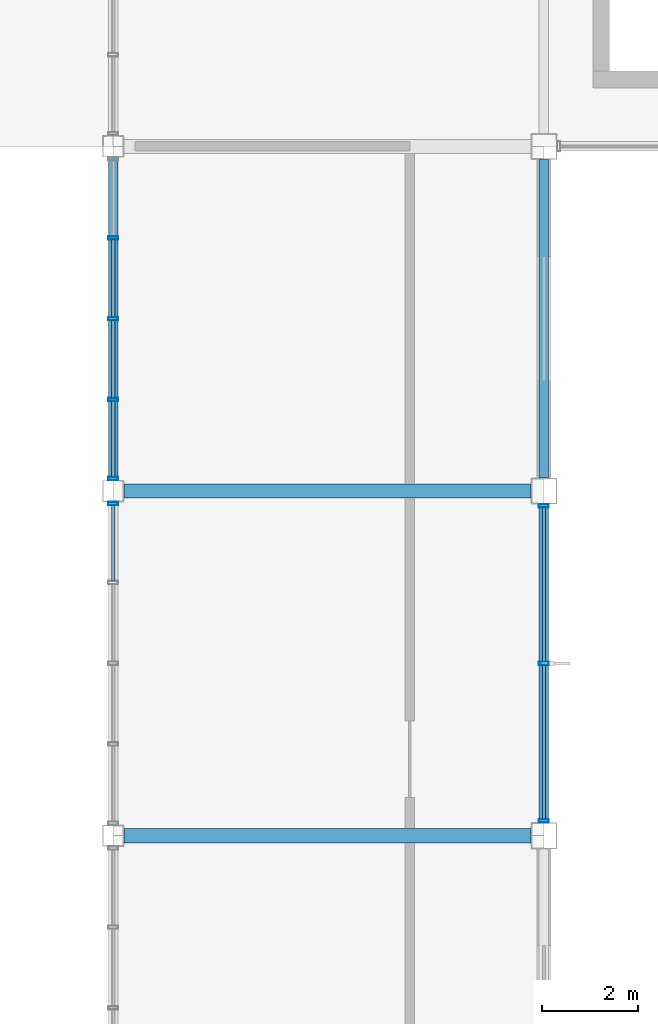
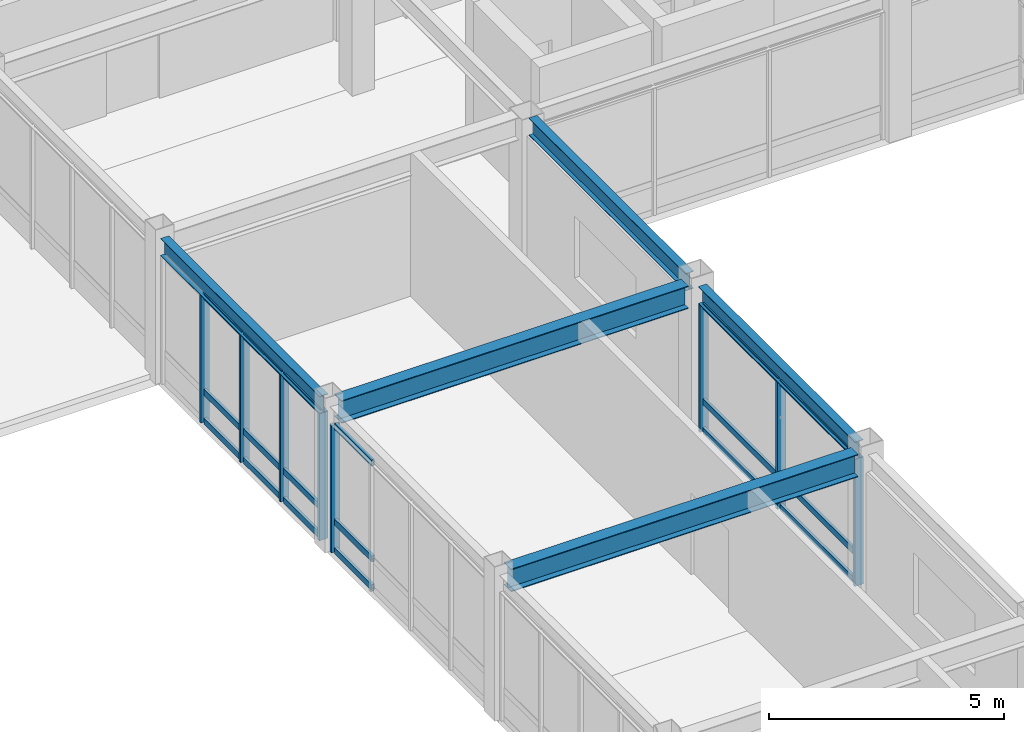
# One storey, part 37 of 113: 26 members, 5 beams, 3 elements without a shape of their own.
"""IFC4 building model written with IfcOpenShell, lengths in metres."""

from ifc_helpers import new_model, si_unit, direction, frame, origin, origin_2d, place, context, subcontext, project, spatial, hollow_rectangle, i_section, extrude, material, material_profile, profile_set, type_object, element, aggregate, save


model = new_model("IFC4")

# Units and contexts
model_context = context("Model", 3, precision=1e-05, world=origin(), true_north=direction((0.0, 1.0)))
body_context = subcontext(model_context, "Body", "Model", "MODEL_VIEW")
ifc_project = project(units=[si_unit("LENGTHUNIT", "METRE"), si_unit("AREAUNIT", "SQUARE_METRE"), si_unit("VOLUMEUNIT", "CUBIC_METRE"), si_unit("PLANEANGLEUNIT", "RADIAN"), si_unit("MASSUNIT", "GRAM", prefix="KILO")], contexts=[model_context])

# Site, building, storey
site_placement = place(None, origin())
site = spatial("IfcSite", under=ifc_project, at=site_placement, CompositionType="ELEMENT")
building_placement = place(site_placement, origin())
building = spatial("IfcBuilding", under=site, at=building_placement, Name="Kazanami Central Library", CompositionType="ELEMENT")
storey_placement = place(building_placement, frame((0.0, 0.0, 8.800048828125)))
storey = spatial("IfcBuildingStorey", under=building, at=storey_placement, Name="L03", CompositionType="ELEMENT", Elevation=8.800048828125)

# Beams
ifc_material_1 = material(Name="Steel SN490B (325 MPa)", Category="steel")
ifc_material_profile_1 = material_profile(ifc_material_1, i_section(OverallWidth=0.300048828125, OverallDepth=0.587890625, WebThickness=0.011962890625, FlangeThickness=0.02001953125, at=origin_2d()), Name="H-588x300x12x20")
ifc_profile_set_1 = profile_set([ifc_material_profile_1], Name="Steel SN490B (325 MPa)")
beam_type_1 = type_object("IfcBeamType", Name="BM-G-X2", PredefinedType="BEAM", material=ifc_profile_set_1)
for number, where, z_axis, x_axis, name in (
    (1, (45.222900390625, 50.39990234375, 3.450927734375), (1.0, 0.0, 0.0), (0.0, 1.0, 0.0), "Girder G-X2 L03 H/6-7"),
    (2, (45.222900390625, 57.60009765625, 3.450927734375), (1.0, 0.0, 0.0), (0.0, 1.0, 0.0), "Girder G-X2 L03 J/6-7"),
):
    element("IfcBeam", number, at=place(storey_placement, frame(where, z_axis=z_axis, x_axis=x_axis)), inside=storey, type_object=beam_type_1, Name=name, PredefinedType="BEAM", context=body_context, shape_type="SweptSolid", body=[
        extrude(i_section(OverallWidth=0.300048828125, OverallDepth=0.587890625, WebThickness=0.011962890625, FlangeThickness=0.02001953125, at=origin_2d()), origin(), (0.0, 0.0, 1.0), 8.504150390625),
    ])
ifc_material_profile_2 = material_profile(ifc_material_1, i_section(OverallWidth=0.199951171875, OverallDepth=0.449951171875, WebThickness=0.009033203125, FlangeThickness=0.013916015625, at=origin_2d()), Name="H-450x200x9x14")
ifc_profile_set_2 = profile_set([ifc_material_profile_2], Name="Steel SN490B (325 MPa)")
beam_type_2 = type_object("IfcBeamType", Name="BM-SP-2", PredefinedType="SPANDREL", material=ifc_profile_set_2)
beam_1_placement = place(storey_placement, frame((45.0, 57.822998046875, 3.52001953125), z_axis=(0.0, 1.0, 0.0), x_axis=(-1.0, 0.0, 0.0)))
element("IfcBeam", 3, at=beam_1_placement, inside=storey, type_object=beam_type_2, Name="Girder SP-2 L03 6/J-K", PredefinedType="SPANDREL", context=body_context, shape_type="SweptSolid", body=[
    extrude(i_section(OverallWidth=0.199951171875, OverallDepth=0.449951171875, WebThickness=0.009033203125, FlangeThickness=0.013916015625, at=origin_2d()), origin(), (0.0, 0.0, 1.0), 6.75390625),
])
beam_2_placement = place(storey_placement, frame((54.0, 50.673095703125, 3.52001953125), z_axis=(0.0, 1.0, 0.0), x_axis=(-1.0, 0.0, 0.0)))
element("IfcBeam", 4, at=beam_2_placement, inside=storey, type_object=beam_type_2, Name="Girder SP-2 L03 7/H-J", PredefinedType="SPANDREL", context=body_context, shape_type="SweptSolid", body=[
    extrude(i_section(OverallWidth=0.199951171875, OverallDepth=0.449951171875, WebThickness=0.009033203125, FlangeThickness=0.013916015625, at=origin_2d()), origin(), (0.0, 0.0, 1.0), 6.65380859375),
])
beam_3_placement = place(storey_placement, frame((54.0, 57.873046875, 3.52001953125), z_axis=(0.0, 1.0, 0.0), x_axis=(-1.0, 0.0, 0.0)))
element("IfcBeam", 5, at=beam_3_placement, inside=storey, type_object=beam_type_2, Name="Girder SP-2 L03 7/J-K", PredefinedType="SPANDREL", context=body_context, shape_type="SweptSolid", body=[
    extrude(i_section(OverallWidth=0.199951171875, OverallDepth=0.449951171875, WebThickness=0.009033203125, FlangeThickness=0.013916015625, at=origin_2d()), origin(), (0.0, 0.0, 1.0), 6.654052734375),
])

# Curtain wall, member
ifc_material_2 = material(Name="Acid-Etched Low-E Laminated Glass", Category="glass")
curtain_wall_type_1 = type_object("IfcCurtainWallType", Name="CW-6750x3295-M180", PredefinedType="USERDEFINED", material=ifc_material_2)
curtain_wall_1_placement = place(storey_placement, origin())
curtain_wall_1 = element("IfcCurtainWall", 6, at=curtain_wall_1_placement, inside=storey, type_object=curtain_wall_type_1, Name="Covered Link Bridge Curtain Wall CW-32 L03 W-6-07", ObjectType="UNITISED CURTAIN WALL", PredefinedType="USERDEFINED")
ifc_material_3 = material(Name="Anodised Aluminium A6063-T5", Category="aluminium")
ifc_material_profile_3 = material_profile(ifc_material_3, hollow_rectangle(XDim=0.070068359375, YDim=0.2099609375, WallThickness=0.0048828125, at=origin_2d()), Name="ALU-MULL-70x210x5")
ifc_profile_set_3 = profile_set([ifc_material_profile_3], Name="Anodised Aluminium A6063-T5")
member_type_1 = type_object("IfcMemberType", Name="MEM-CW-M1", PredefinedType="MULLION", material=ifc_profile_set_3)
member_1_placement = place(storey_placement, frame((45.0, 57.340087890625, 0.0), z_axis=(0.0, 0.0, 1.0), x_axis=(0.0, 1.0, 0.0)))
member_1 = element("IfcMember", 7, at=member_1_placement, type_object=member_type_1, Name="CW-32 mullion 5", PredefinedType="MULLION", context=body_context, shape_type="SweptSolid", body=[
    extrude(hollow_rectangle(XDim=0.070068359375, YDim=0.2099609375, WallThickness=0.0048828125, at=origin_2d()), origin(), (0.0, 0.0, 1.0), 3.294921875),
])

# Curtain wall, members
curtain_wall_2_placement = place(storey_placement, origin())
curtain_wall_2 = element("IfcCurtainWall", 8, at=curtain_wall_2_placement, inside=storey, type_object=curtain_wall_type_1, Name="Covered Link Bridge Curtain Wall CW-32 L03 W-6-08", ObjectType="UNITISED CURTAIN WALL", PredefinedType="USERDEFINED")
member_2_placement = place(storey_placement, frame((45.0, 57.860107421875, 0.0), z_axis=(0.0, 0.0, 1.0), x_axis=(0.0, 1.0, 0.0)))
member_2 = element("IfcMember", 9, at=member_2_placement, type_object=member_type_1, Name="CW-32 mullion 1", PredefinedType="MULLION", context=body_context, shape_type="SweptSolid", body=[
    extrude(hollow_rectangle(XDim=0.070068359375, YDim=0.2099609375, WallThickness=0.0048828125, at=origin_2d()), origin(), (0.0, 0.0, 1.0), 3.294921875),
])
member_3_placement = place(storey_placement, frame((45.0, 59.512451171875, 0.0), z_axis=(0.0, 0.0, 1.0), x_axis=(0.0, 1.0, 0.0)))
member_3 = element("IfcMember", 10, at=member_3_placement, type_object=member_type_1, Name="CW-32 mullion 2", PredefinedType="MULLION", context=body_context, shape_type="SweptSolid", body=[
    extrude(hollow_rectangle(XDim=0.070068359375, YDim=0.2099609375, WallThickness=0.0048828125, at=origin_2d()), origin(), (0.0, 0.0, 1.0), 3.294921875),
])
member_4_placement = place(storey_placement, frame((45.0, 61.199951171875, 0.0), z_axis=(0.0, 0.0, 1.0), x_axis=(0.0, 1.0, 0.0)))
member_4 = element("IfcMember", 11, at=member_4_placement, type_object=member_type_1, Name="CW-32 mullion 3", PredefinedType="MULLION", context=body_context, shape_type="SweptSolid", body=[
    extrude(hollow_rectangle(XDim=0.070068359375, YDim=0.2099609375, WallThickness=0.0048828125, at=origin_2d()), origin(), (0.0, 0.0, 1.0), 3.294921875),
])
member_5_placement = place(storey_placement, frame((45.0, 62.887451171875, 0.0), z_axis=(0.0, 0.0, 1.0), x_axis=(0.0, 1.0, 0.0)))
member_5 = element("IfcMember", 12, at=member_5_placement, type_object=member_type_1, Name="CW-32 mullion 4", PredefinedType="MULLION", context=body_context, shape_type="SweptSolid", body=[
    extrude(hollow_rectangle(XDim=0.070068359375, YDim=0.2099609375, WallThickness=0.0048828125, at=origin_2d()), origin(), (0.0, 0.0, 1.0), 3.294921875),
])

curtain_wall_type_2 = type_object("IfcCurtainWallType", Name="CW-6650x3295-M275", PredefinedType="USERDEFINED", material=ifc_material_2)
curtain_wall_3_placement = place(storey_placement, origin())
curtain_wall_3 = element("IfcCurtainWall", 13, at=curtain_wall_3_placement, inside=storey, type_object=curtain_wall_type_2, Name="Unitised Curtain Wall CW-35 L03 E-7-07", ObjectType="UNITISED CURTAIN WALL", PredefinedType="USERDEFINED")
member_6_placement = place(storey_placement, frame((54.0, 57.2900390625, 0.0), z_axis=(0.0, 0.0, 1.0), x_axis=(0.0, -1.0, 0.0)))
member_6 = element("IfcMember", 14, at=member_6_placement, type_object=member_type_1, Name="CW-35 mullion 1", PredefinedType="MULLION", context=body_context, shape_type="SweptSolid", body=[
    extrude(hollow_rectangle(XDim=0.070068359375, YDim=0.2099609375, WallThickness=0.0048828125, at=origin_2d()), origin(), (0.0, 0.0, 1.0), 3.294921875),
])
member_7_placement = place(storey_placement, frame((54.0, 54.0, 0.0), z_axis=(0.0, 0.0, 1.0), x_axis=(0.0, -1.0, 0.0)))
member_7 = element("IfcMember", 15, at=member_7_placement, type_object=member_type_1, Name="CW-35 mullion 2", PredefinedType="MULLION", context=body_context, shape_type="SweptSolid", body=[
    extrude(hollow_rectangle(XDim=0.070068359375, YDim=0.2099609375, WallThickness=0.0048828125, at=origin_2d()), origin(), (0.0, 0.0, 1.0), 3.294921875),
])
member_8_placement = place(storey_placement, frame((54.0, 50.7099609375, 0.0), z_axis=(0.0, 0.0, 1.0), x_axis=(0.0, -1.0, 0.0)))
member_8 = element("IfcMember", 16, at=member_8_placement, type_object=member_type_1, Name="CW-35 mullion 3", PredefinedType="MULLION", context=body_context, shape_type="SweptSolid", body=[
    extrude(hollow_rectangle(XDim=0.070068359375, YDim=0.2099609375, WallThickness=0.0048828125, at=origin_2d()), origin(), (0.0, 0.0, 1.0), 3.294921875),
])

# Member
ifc_material_profile_4 = material_profile(ifc_material_3, hollow_rectangle(XDim=0.070068359375, YDim=0.159912109375, WallThickness=0.00390625, at=origin_2d()), Name="ALU-TRAN-70x160x4")
ifc_profile_set_4 = profile_set([ifc_material_profile_4], Name="Anodised Aluminium A6063-T5")
member_type_2 = type_object("IfcMemberType", Name="MEM-CW-T1", PredefinedType="USERDEFINED", material=ifc_profile_set_4)
member_9_placement = place(storey_placement, frame((45.0, 55.722412109375, 0.034912109375), z_axis=(0.0, 1.0, 0.0), x_axis=(-1.0, 0.0, 0.0)))
member_9 = element("IfcMember", 17, at=member_9_placement, type_object=member_type_2, Name="CW-32 transom 4.1", ObjectType="TRANSOM", PredefinedType="USERDEFINED", context=body_context, shape_type="SweptSolid", body=[
    extrude(hollow_rectangle(XDim=0.070068359375, YDim=0.159912109375, WallThickness=0.00390625, at=origin_2d()), origin(), (0.0, 0.0, 1.0), 1.58251953125),
])

member_10_placement = place(storey_placement, frame((45.0, 55.722412109375, 0.780029296875), z_axis=(0.0, 1.0, 0.0), x_axis=(-1.0, 0.0, 0.0)))
member_10 = element("IfcMember", 18, at=member_10_placement, type_object=member_type_2, Name="CW-32 transom 4.2", ObjectType="TRANSOM", PredefinedType="USERDEFINED", context=body_context, shape_type="SweptSolid", body=[
    extrude(hollow_rectangle(XDim=0.070068359375, YDim=0.159912109375, WallThickness=0.00390625, at=origin_2d()), origin(), (0.0, 0.0, 1.0), 1.58251953125),
])

member_11_placement = place(storey_placement, frame((45.0, 55.722412109375, 3.260009765625), z_axis=(0.0, 1.0, 0.0), x_axis=(-1.0, 0.0, 0.0)))
member_11 = element("IfcMember", 19, at=member_11_placement, type_object=member_type_2, Name="CW-32 transom 4.3", ObjectType="TRANSOM", PredefinedType="USERDEFINED", context=body_context, shape_type="SweptSolid", body=[
    extrude(hollow_rectangle(XDim=0.070068359375, YDim=0.159912109375, WallThickness=0.00390625, at=origin_2d()), origin(), (0.0, 0.0, 1.0), 1.58251953125),
])

aggregate(curtain_wall_1, [member_1, member_9, member_10, member_11])

member_12_placement = place(storey_placement, frame((45.0, 57.89501953125, 0.034912109375), z_axis=(0.0, 1.0, 0.0), x_axis=(-1.0, 0.0, 0.0)))
member_12 = element("IfcMember", 20, at=member_12_placement, type_object=member_type_2, Name="CW-32 transom 1.1", ObjectType="TRANSOM", PredefinedType="USERDEFINED", context=body_context, shape_type="SweptSolid", body=[
    extrude(hollow_rectangle(XDim=0.070068359375, YDim=0.159912109375, WallThickness=0.00390625, at=origin_2d()), origin(), (0.0, 0.0, 1.0), 1.58251953125),
])

member_13_placement = place(storey_placement, frame((45.0, 57.89501953125, 0.780029296875), z_axis=(0.0, 1.0, 0.0), x_axis=(-1.0, 0.0, 0.0)))
member_13 = element("IfcMember", 21, at=member_13_placement, type_object=member_type_2, Name="CW-32 transom 1.2", ObjectType="TRANSOM", PredefinedType="USERDEFINED", context=body_context, shape_type="SweptSolid", body=[
    extrude(hollow_rectangle(XDim=0.070068359375, YDim=0.159912109375, WallThickness=0.00390625, at=origin_2d()), origin(), (0.0, 0.0, 1.0), 1.58251953125),
])

member_14_placement = place(storey_placement, frame((45.0, 57.89501953125, 3.260009765625), z_axis=(0.0, 1.0, 0.0), x_axis=(-1.0, 0.0, 0.0)))
member_14 = element("IfcMember", 22, at=member_14_placement, type_object=member_type_2, Name="CW-32 transom 1.3", ObjectType="TRANSOM", PredefinedType="USERDEFINED", context=body_context, shape_type="SweptSolid", body=[
    extrude(hollow_rectangle(XDim=0.070068359375, YDim=0.159912109375, WallThickness=0.00390625, at=origin_2d()), origin(), (0.0, 0.0, 1.0), 1.58251953125),
])

member_15_placement = place(storey_placement, frame((45.0, 59.547607421875, 0.034912109375), z_axis=(0.0, 1.0, 0.0), x_axis=(-1.0, 0.0, 0.0)))
member_15 = element("IfcMember", 23, at=member_15_placement, type_object=member_type_2, Name="CW-32 transom 2.1", ObjectType="TRANSOM", PredefinedType="USERDEFINED", context=body_context, shape_type="SweptSolid", body=[
    extrude(hollow_rectangle(XDim=0.070068359375, YDim=0.159912109375, WallThickness=0.00390625, at=origin_2d()), origin(), (0.0, 0.0, 1.0), 1.617431640625),
])

member_16_placement = place(storey_placement, frame((45.0, 59.547607421875, 0.780029296875), z_axis=(0.0, 1.0, 0.0), x_axis=(-1.0, 0.0, 0.0)))
member_16 = element("IfcMember", 24, at=member_16_placement, type_object=member_type_2, Name="CW-32 transom 2.2", ObjectType="TRANSOM", PredefinedType="USERDEFINED", context=body_context, shape_type="SweptSolid", body=[
    extrude(hollow_rectangle(XDim=0.070068359375, YDim=0.159912109375, WallThickness=0.00390625, at=origin_2d()), origin(), (0.0, 0.0, 1.0), 1.617431640625),
])

member_17_placement = place(storey_placement, frame((45.0, 59.547607421875, 3.260009765625), z_axis=(0.0, 1.0, 0.0), x_axis=(-1.0, 0.0, 0.0)))
member_17 = element("IfcMember", 25, at=member_17_placement, type_object=member_type_2, Name="CW-32 transom 2.3", ObjectType="TRANSOM", PredefinedType="USERDEFINED", context=body_context, shape_type="SweptSolid", body=[
    extrude(hollow_rectangle(XDim=0.070068359375, YDim=0.159912109375, WallThickness=0.00390625, at=origin_2d()), origin(), (0.0, 0.0, 1.0), 1.617431640625),
])

member_18_placement = place(storey_placement, frame((45.0, 61.235107421875, 0.034912109375), z_axis=(0.0, 1.0, 0.0), x_axis=(-1.0, 0.0, 0.0)))
member_18 = element("IfcMember", 26, at=member_18_placement, type_object=member_type_2, Name="CW-32 transom 3.1", ObjectType="TRANSOM", PredefinedType="USERDEFINED", context=body_context, shape_type="SweptSolid", body=[
    extrude(hollow_rectangle(XDim=0.070068359375, YDim=0.159912109375, WallThickness=0.00390625, at=origin_2d()), origin(), (0.0, 0.0, 1.0), 1.617431640625),
])

member_19_placement = place(storey_placement, frame((45.0, 61.235107421875, 0.780029296875), z_axis=(0.0, 1.0, 0.0), x_axis=(-1.0, 0.0, 0.0)))
member_19 = element("IfcMember", 27, at=member_19_placement, type_object=member_type_2, Name="CW-32 transom 3.2", ObjectType="TRANSOM", PredefinedType="USERDEFINED", context=body_context, shape_type="SweptSolid", body=[
    extrude(hollow_rectangle(XDim=0.070068359375, YDim=0.159912109375, WallThickness=0.00390625, at=origin_2d()), origin(), (0.0, 0.0, 1.0), 1.617431640625),
])

member_20_placement = place(storey_placement, frame((45.0, 61.235107421875, 3.260009765625), z_axis=(0.0, 1.0, 0.0), x_axis=(-1.0, 0.0, 0.0)))
member_20 = element("IfcMember", 28, at=member_20_placement, type_object=member_type_2, Name="CW-32 transom 3.3", ObjectType="TRANSOM", PredefinedType="USERDEFINED", context=body_context, shape_type="SweptSolid", body=[
    extrude(hollow_rectangle(XDim=0.070068359375, YDim=0.159912109375, WallThickness=0.00390625, at=origin_2d()), origin(), (0.0, 0.0, 1.0), 1.617431640625),
])

aggregate(curtain_wall_2, [member_2, member_3, member_4, member_5, member_12, member_13, member_14, member_15, member_16, member_17, member_18, member_19, member_20])

member_21_placement = place(storey_placement, frame((54.0, 57.2548828125, 0.034912109375), z_axis=(0.0, -1.0, 0.0), x_axis=(1.0, 0.0, 0.0)))
member_21 = element("IfcMember", 29, at=member_21_placement, type_object=member_type_2, Name="CW-35 transom 1.1", ObjectType="TRANSOM", PredefinedType="USERDEFINED", context=body_context, shape_type="SweptSolid", body=[
    extrude(hollow_rectangle(XDim=0.070068359375, YDim=0.159912109375, WallThickness=0.00390625, at=origin_2d()), origin(), (0.0, 0.0, 1.0), 3.219970703125),
])

member_22_placement = place(storey_placement, frame((54.0, 57.2548828125, 0.780029296875), z_axis=(0.0, -1.0, 0.0), x_axis=(1.0, 0.0, 0.0)))
member_22 = element("IfcMember", 30, at=member_22_placement, type_object=member_type_2, Name="CW-35 transom 1.2", ObjectType="TRANSOM", PredefinedType="USERDEFINED", context=body_context, shape_type="SweptSolid", body=[
    extrude(hollow_rectangle(XDim=0.070068359375, YDim=0.159912109375, WallThickness=0.00390625, at=origin_2d()), origin(), (0.0, 0.0, 1.0), 3.219970703125),
])

member_23_placement = place(storey_placement, frame((54.0, 57.2548828125, 3.260009765625), z_axis=(0.0, -1.0, 0.0), x_axis=(1.0, 0.0, 0.0)))
member_23 = element("IfcMember", 31, at=member_23_placement, type_object=member_type_2, Name="CW-35 transom 1.3", ObjectType="TRANSOM", PredefinedType="USERDEFINED", context=body_context, shape_type="SweptSolid", body=[
    extrude(hollow_rectangle(XDim=0.070068359375, YDim=0.159912109375, WallThickness=0.00390625, at=origin_2d()), origin(), (0.0, 0.0, 1.0), 3.219970703125),
])

member_24_placement = place(storey_placement, frame((54.0, 53.965087890625, 0.034912109375), z_axis=(0.0, -1.0, 0.0), x_axis=(1.0, 0.0, 0.0)))
member_24 = element("IfcMember", 32, at=member_24_placement, type_object=member_type_2, Name="CW-35 transom 2.1", ObjectType="TRANSOM", PredefinedType="USERDEFINED", context=body_context, shape_type="SweptSolid", body=[
    extrude(hollow_rectangle(XDim=0.070068359375, YDim=0.159912109375, WallThickness=0.00390625, at=origin_2d()), origin(), (0.0, 0.0, 1.0), 3.219970703125),
])

member_25_placement = place(storey_placement, frame((54.0, 53.965087890625, 0.780029296875), z_axis=(0.0, -1.0, 0.0), x_axis=(1.0, 0.0, 0.0)))
member_25 = element("IfcMember", 33, at=member_25_placement, type_object=member_type_2, Name="CW-35 transom 2.2", ObjectType="TRANSOM", PredefinedType="USERDEFINED", context=body_context, shape_type="SweptSolid", body=[
    extrude(hollow_rectangle(XDim=0.070068359375, YDim=0.159912109375, WallThickness=0.00390625, at=origin_2d()), origin(), (0.0, 0.0, 1.0), 3.219970703125),
])

member_26_placement = place(storey_placement, frame((54.0, 53.965087890625, 3.260009765625), z_axis=(0.0, -1.0, 0.0), x_axis=(1.0, 0.0, 0.0)))
member_26 = element("IfcMember", 34, at=member_26_placement, type_object=member_type_2, Name="CW-35 transom 2.3", ObjectType="TRANSOM", PredefinedType="USERDEFINED", context=body_context, shape_type="SweptSolid", body=[
    extrude(hollow_rectangle(XDim=0.070068359375, YDim=0.159912109375, WallThickness=0.00390625, at=origin_2d()), origin(), (0.0, 0.0, 1.0), 3.219970703125),
])

aggregate(curtain_wall_3, [member_6, member_7, member_8, member_21, member_22, member_23, member_24, member_25, member_26])

save(model, "model.ifc")
